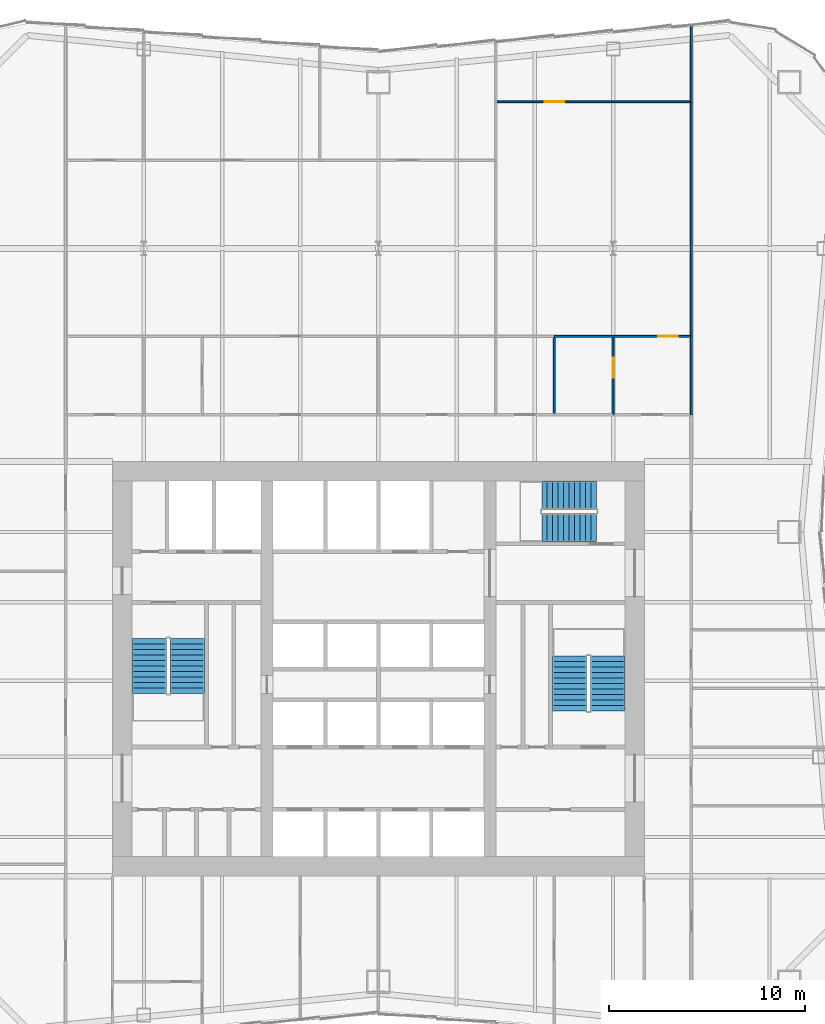
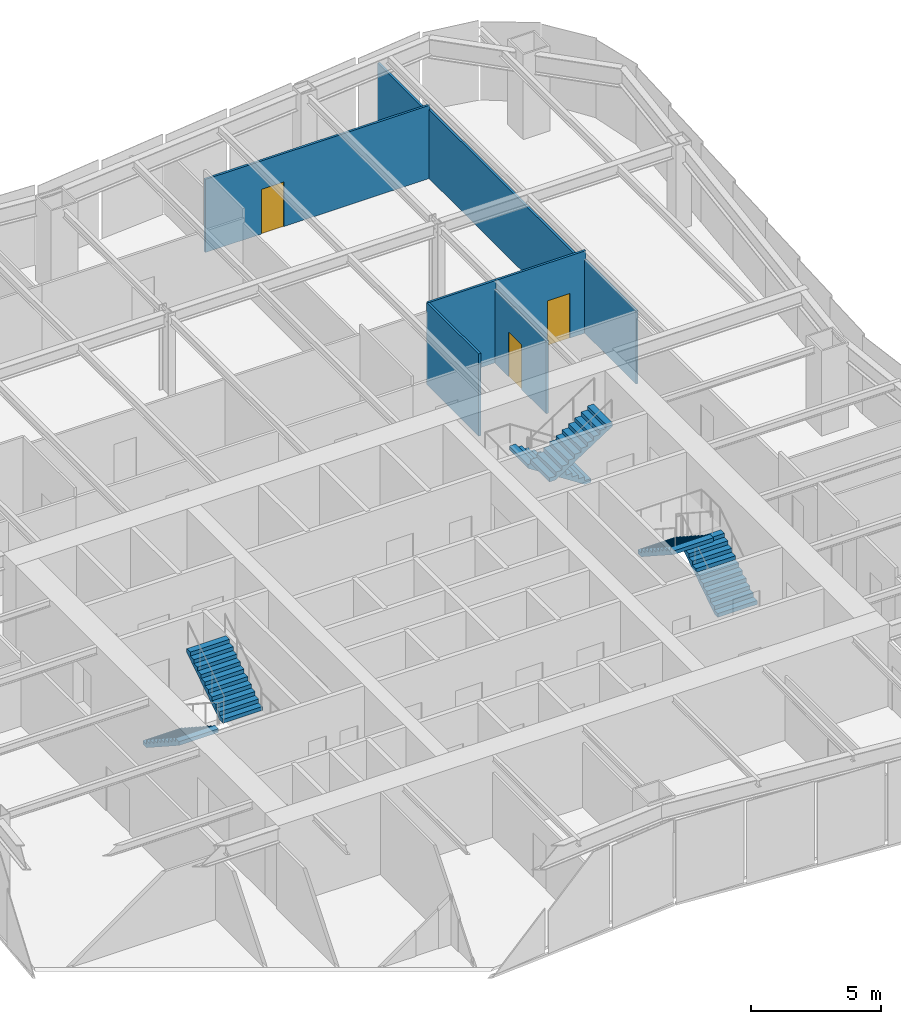
# One storey, part 7 of 8: 8 walls, 6 stair flights, 3 doors, 3 openings, 3 elements without a shape of their own.
"""IFC4 building model written with IfcOpenShell, lengths in metres."""

from ifc_helpers import new_model, si_unit, direction, frame, frame_2d, origin, place, context, subcontext, project, spatial, polyline, rectangle, outline, extrude, material, layer, layer_set, type_object, element, fill, aggregate, save


model = new_model("IFC4")

# Units and contexts
model_context = context("Model", 3, precision=1e-05, world=origin(), true_north=direction((0.0, 1.0)))
body_context = subcontext(model_context, "Body", "Model", "MODEL_VIEW")
ifc_project = project(units=[si_unit("LENGTHUNIT", "METRE"), si_unit("AREAUNIT", "SQUARE_METRE"), si_unit("VOLUMEUNIT", "CUBIC_METRE"), si_unit("PLANEANGLEUNIT", "RADIAN"), si_unit("MASSUNIT", "GRAM", prefix="KILO")], contexts=[model_context])

# Site, building, storey
site_placement = place(None, origin())
site = spatial("IfcSite", under=ifc_project, at=site_placement, CompositionType="ELEMENT")
building_placement = place(site_placement, origin())
building = spatial("IfcBuilding", under=site, at=building_placement, Name="Verdant Reach Tower", CompositionType="ELEMENT")
storey_placement = place(building_placement, frame((0.0, 0.0, 146.0)))
storey = spatial("IfcBuildingStorey", under=building, at=storey_placement, Name="L33", CompositionType="ELEMENT", Elevation=146.0)

# Walls
ifc_material_1 = material(Name="Gypsum board on steel studs", Category="steel")
ifc_layer = layer(ifc_material_1, 0.10009765625)
ifc_layer_set = layer_set([ifc_layer], Name="FL-W1 Partition 100")
wall_type = type_object("IfcWallType", Name="FL-W1 Partition 100", PredefinedType="PARTITIONING", material=ifc_layer_set)
wall_1_placement = place(storey_placement, frame((16.0, 45.0, 0.0), z_axis=(0.0, 0.0, 1.0), x_axis=(0.0, -1.0, 0.0)))
element("IfcWall", 1, at=wall_1_placement, inside=storey, type_object=wall_type, Name="Partition 33.28", PredefinedType="PARTITIONING", context=body_context, shape_type="SweptSolid", body=[
    extrude(rectangle(XDim=4.0, YDim=0.10009765625, at=frame_2d((2.0, 0.0))), origin(), (0.0, 0.0, 1.0), 3.43994140625),
])
wall_2_placement = place(storey_placement, frame((16.0, 57.0, 0.0), z_axis=(0.0, 0.0, 1.0), x_axis=(0.0, -1.0, 0.0)))
element("IfcWall", 2, at=wall_2_placement, inside=storey, type_object=wall_type, Name="Partition 33.29", PredefinedType="PARTITIONING", context=body_context, shape_type="SweptSolid", body=[
    extrude(rectangle(XDim=12.0, YDim=0.10009765625, at=frame_2d((6.0, 0.0))), origin(), (0.0, 0.0, 1.0), 3.239990234375),
])
wall_3_placement = place(storey_placement, frame((16.0, 60.913330078125, 0.0), z_axis=(0.0, 0.0, 1.0), x_axis=(0.0, -1.0, 0.0)))
element("IfcWall", 3, at=wall_3_placement, inside=storey, type_object=wall_type, Name="Partition 33.30", PredefinedType="PARTITIONING", context=body_context, shape_type="SweptSolid", body=[
    extrude(rectangle(XDim=3.913330078125, YDim=0.10009765625, at=frame_2d((1.95654296875, 0.0))), origin(), (0.0, 0.0, 1.0), 3.0400390625),
])
wall_4_placement = place(storey_placement, frame((9.0, 41.0, 0.0), z_axis=(0.0, 0.0, 1.0), x_axis=(0.0, 1.0, 0.0)))
element("IfcWall", 4, at=wall_4_placement, inside=storey, type_object=wall_type, Name="Partition 33.53", PredefinedType="PARTITIONING", context=body_context, shape_type="SweptSolid", body=[
    extrude(rectangle(XDim=4.0, YDim=0.10009765625, at=frame_2d((2.0, 0.0))), origin(), (0.0, 0.0, 1.0), 3.8701171875),
])

# Wall, opening, door
wall_5_placement = place(storey_placement, frame((12.0, 41.0, 0.0), z_axis=(0.0, 0.0, 1.0), x_axis=(0.0, 1.0, 0.0)))
wall_5 = element("IfcWall", 5, at=wall_5_placement, inside=storey, type_object=wall_type, Name="Partition 33.55", PredefinedType="PARTITIONING", context=body_context, shape_type="SweptSolid", body=[
    extrude(rectangle(XDim=4.0, YDim=0.10009765625, at=frame_2d((2.0, 0.0))), origin(), (0.0, 0.0, 1.0), 3.43994140625),
])
opening_1_placement = place(wall_5_placement, frame((1.89990234375, 0.0, 0.0)))
opening_1 = element("IfcOpeningElement", 6, at=opening_1_placement, cuts=wall_5, Name="Opening D3", PredefinedType="OPENING", context=body_context, shape_type="SweptSolid", body=[
    extrude(rectangle(XDim=1.0, YDim=2.10009765625, at=frame_2d((0.5, 1.050048828125))), frame((0.0, 0.06005859375, 0.0), z_axis=(0.0, -1.0, 0.0), x_axis=(1.0, 0.0, 0.0)), (0.0, 0.0, 1.0), 0.1201171875),
])
ifc_material_2 = material(Name="Painted timber door leaf", Category="wood")
door_type = type_object("IfcDoorType", Name="FL-D3 Door 1000x2100", OperationType="NOTDEFINED", PredefinedType="DOOR", material=ifc_material_2)
door_1_placement = place(opening_1_placement, origin())
door_1 = element("IfcDoor", 7, at=door_1_placement, inside=storey, type_object=door_type, Name="Door 33-025", OperationType="SINGLE_SWING_RIGHT", OverallHeight=2.10009765625, OverallWidth=1.0, PredefinedType="DOOR", context=body_context, shape_type="SweptSolid", body=[
    extrude(rectangle(XDim=1.0, YDim=2.10009765625, at=frame_2d((0.5, 1.050048828125))), frame((0.0, 0.02490234375, 0.0), z_axis=(0.0, -1.0, 0.0), x_axis=(1.0, 0.0, 0.0)), (0.0, 0.0, 1.0), 0.050048828125),
])
fill(opening_1, door_1)

# Wall
wall_6_placement = place(storey_placement, frame((12.00390625, 45.0, 0.0), z_axis=(0.0, 0.0, 1.0), x_axis=(-1.0, 0.0, 0.0)))
element("IfcWall", 8, at=wall_6_placement, inside=storey, type_object=wall_type, Name="Partition 33.56", PredefinedType="PARTITIONING", context=body_context, shape_type="SweptSolid", body=[
    extrude(rectangle(XDim=3.0078125, YDim=0.10009765625, at=frame_2d((1.50390625, 0.0))), origin(), (0.0, 0.0, 1.0), 3.8701171875),
])

# Wall, opening, door
wall_7_placement = place(storey_placement, frame((11.99609375, 45.0, 0.0), z_axis=(0.0, 0.0, 1.0), x_axis=(1.0, 0.0, 0.0)))
wall_7 = element("IfcWall", 9, at=wall_7_placement, inside=storey, type_object=wall_type, Name="Partition 33.57", PredefinedType="PARTITIONING", context=body_context, shape_type="SweptSolid", body=[
    extrude(rectangle(XDim=4.00390625, YDim=0.10009765625, at=frame_2d((2.001953125, 0.0))), origin(), (0.0, 0.0, 1.0), 3.8701171875),
])
opening_2_placement = place(wall_7_placement, frame((2.302001953125, 0.0, 0.0)))
opening_2 = element("IfcOpeningElement", 10, at=opening_2_placement, cuts=wall_7, Name="Opening D3", PredefinedType="OPENING", context=body_context, shape_type="SweptSolid", body=[
    extrude(rectangle(XDim=1.0, YDim=2.10009765625, at=frame_2d((0.5, 1.050048828125))), frame((0.0, 0.06005859375, 0.0), z_axis=(0.0, -1.0, 0.0), x_axis=(1.0, 0.0, 0.0)), (0.0, 0.0, 1.0), 0.1201171875),
])
door_2_placement = place(opening_2_placement, origin())
door_2 = element("IfcDoor", 11, at=door_2_placement, inside=storey, type_object=door_type, Name="Door 33-026", OperationType="SINGLE_SWING_RIGHT", OverallHeight=2.10009765625, OverallWidth=1.0, PredefinedType="DOOR", context=body_context, shape_type="SweptSolid", body=[
    extrude(rectangle(XDim=1.0, YDim=2.10009765625, at=frame_2d((0.5, 1.050048828125))), frame((0.0, 0.02490234375, 0.0), z_axis=(0.0, -1.0, 0.0), x_axis=(1.0, 0.0, 0.0)), (0.0, 0.0, 1.0), 0.050048828125),
])
fill(opening_2, door_2)

wall_8_placement = place(storey_placement, frame((6.0, 57.0, 0.0), z_axis=(0.0, 0.0, 1.0), x_axis=(1.0, 0.0, 0.0)))
wall_8 = element("IfcWall", 12, at=wall_8_placement, inside=storey, type_object=wall_type, Name="Partition 33.58", PredefinedType="PARTITIONING", context=body_context, shape_type="SweptSolid", body=[
    extrude(rectangle(XDim=10.0, YDim=0.10009765625, at=frame_2d((5.0, 0.0))), origin(), (0.0, 0.0, 1.0), 3.43994140625),
])
opening_3_placement = place(wall_8_placement, frame((2.5, 0.0, 0.0)))
opening_3 = element("IfcOpeningElement", 13, at=opening_3_placement, cuts=wall_8, Name="Opening D3", PredefinedType="OPENING", context=body_context, shape_type="SweptSolid", body=[
    extrude(rectangle(XDim=1.0, YDim=2.10009765625, at=frame_2d((0.5, 1.050048828125))), frame((0.0, 0.06005859375, 0.0), z_axis=(0.0, -1.0, 0.0), x_axis=(1.0, 0.0, 0.0)), (0.0, 0.0, 1.0), 0.1201171875),
])
door_3_placement = place(opening_3_placement, origin())
door_3 = element("IfcDoor", 14, at=door_3_placement, inside=storey, type_object=door_type, Name="Door 33-027", OperationType="SINGLE_SWING_LEFT", OverallHeight=2.10009765625, OverallWidth=1.0, PredefinedType="DOOR", context=body_context, shape_type="SweptSolid", body=[
    extrude(rectangle(XDim=1.0, YDim=2.10009765625, at=frame_2d((0.5, 1.050048828125))), frame((0.0, 0.02490234375, 0.0), z_axis=(0.0, -1.0, 0.0), x_axis=(1.0, 0.0, 0.0)), (0.0, 0.0, 1.0), 0.050048828125),
])
fill(opening_3, door_3)

# Stair, stair flights
ifc_material_3 = material(Name="Concrete C40/50", Category="concrete")
stair_type = type_object("IfcStairType", Name="CO-STAIR", PredefinedType="HALF_TURN_STAIR", material=ifc_material_3)
stair_1_placement = place(storey_placement, origin())
stair_1 = element("IfcStair", 15, at=stair_1_placement, inside=storey, type_object=stair_type, Name="L33 Exit stair 1", PredefinedType="HALF_TURN_STAIR")
stair_flight_type = type_object("IfcStairFlightType", Name="CO-STAIR-FLIGHT", PredefinedType="STRAIGHT", material=ifc_material_3)
stair_flight_1_placement = place(storey_placement, frame((-11.72509765625, 29.550048828125, 0.0), z_axis=(0.0, 0.0, 1.0), x_axis=(0.0, -1.0, 0.0)))
stair_flight_1 = element("IfcStairFlight", 16, at=stair_flight_1_placement, type_object=stair_flight_type, Name="ST-1 flight 1", NumberOfRisers=11, NumberOfTreads=10, PredefinedType="STRAIGHT", RiserHeight=0.181818182, TreadLength=0.28, context=body_context, shape_type="SweptSolid", body=[
    extrude(outline(polyline([(0.0, 0.0), (0.0, 0.181884765625), (0.280029296875, 0.181884765625), (0.280029296875, 0.363525390625), (0.56005859375, 0.363525390625), (0.56005859375, 0.54541015625), (0.840087890625, 0.54541015625), (0.840087890625, 0.727294921875), (1.1201171875, 0.727294921875), (1.1201171875, 0.9091796875), (1.39990234375, 0.9091796875), (1.39990234375, 1.0908203125), (1.679931640625, 1.0908203125), (1.679931640625, 1.272705078125), (1.9599609375, 1.272705078125), (1.9599609375, 1.45458984375), (2.239990234375, 1.45458984375), (2.239990234375, 1.636474609375), (2.52001953125, 1.636474609375), (2.52001953125, 1.818115234375), (2.800048828125, 1.818115234375), (2.800048828125, 2.0), (2.800048828125, 1.639404296875), (0.275146484375, 0.0), (0.0, 0.0)])), frame((0.0, 0.875, 0.0), z_axis=(0.0, -1.0, 0.0), x_axis=(1.0, 0.0, 0.0)), (0.0, 0.0, 1.0), 1.75),
])
stair_flight_2_placement = place(storey_placement, frame((-9.77490234375, 26.75, 2.0), z_axis=(0.0, 0.0, 1.0), x_axis=(0.0, 1.0, 0.0)))
stair_flight_2 = element("IfcStairFlight", 17, at=stair_flight_2_placement, type_object=stair_flight_type, Name="ST-1 flight 2", NumberOfRisers=11, NumberOfTreads=10, PredefinedType="STRAIGHT", RiserHeight=0.181818182, TreadLength=0.28, context=body_context, shape_type="SweptSolid", body=[
    extrude(outline(polyline([(0.0, 0.0), (0.0, 0.181884765625), (0.280029296875, 0.181884765625), (0.280029296875, 0.363525390625), (0.56005859375, 0.363525390625), (0.56005859375, 0.54541015625), (0.840087890625, 0.54541015625), (0.840087890625, 0.727294921875), (1.1201171875, 0.727294921875), (1.1201171875, 0.9091796875), (1.39990234375, 0.9091796875), (1.39990234375, 1.0908203125), (1.679931640625, 1.0908203125), (1.679931640625, 1.272705078125), (1.9599609375, 1.272705078125), (1.9599609375, 1.45458984375), (2.239990234375, 1.45458984375), (2.239990234375, 1.636474609375), (2.52001953125, 1.636474609375), (2.52001953125, 1.818115234375), (2.800048828125, 1.818115234375), (2.800048828125, 2.0), (2.800048828125, 1.639404296875), (0.275146484375, 0.0), (0.0, 0.0)])), frame((0.0, 0.875, 0.0), z_axis=(0.0, -1.0, 0.0), x_axis=(1.0, 0.0, 0.0)), (0.0, 0.0, 1.0), 1.75),
])
aggregate(stair_1, [stair_flight_1, stair_flight_2])

stair_2_placement = place(storey_placement, origin())
stair_2 = element("IfcStair", 18, at=stair_2_placement, inside=storey, type_object=stair_type, Name="L33 Exit stair 2", PredefinedType="HALF_TURN_STAIR")
stair_flight_3_placement = place(storey_placement, frame((11.72509765625, 25.85009765625, 0.0), z_axis=(0.0, 0.0, 1.0), x_axis=(0.0, 1.0, 0.0)))
stair_flight_3 = element("IfcStairFlight", 19, at=stair_flight_3_placement, type_object=stair_flight_type, Name="ST-2 flight 1", NumberOfRisers=11, NumberOfTreads=10, PredefinedType="STRAIGHT", RiserHeight=0.181818182, TreadLength=0.28, context=body_context, shape_type="SweptSolid", body=[
    extrude(outline(polyline([(0.0, 0.0), (0.0, 0.181884765625), (0.280029296875, 0.181884765625), (0.280029296875, 0.363525390625), (0.56005859375, 0.363525390625), (0.56005859375, 0.54541015625), (0.840087890625, 0.54541015625), (0.840087890625, 0.727294921875), (1.1201171875, 0.727294921875), (1.1201171875, 0.9091796875), (1.39990234375, 0.9091796875), (1.39990234375, 1.0908203125), (1.679931640625, 1.0908203125), (1.679931640625, 1.272705078125), (1.9599609375, 1.272705078125), (1.9599609375, 1.45458984375), (2.239990234375, 1.45458984375), (2.239990234375, 1.636474609375), (2.52001953125, 1.636474609375), (2.52001953125, 1.818115234375), (2.800048828125, 1.818115234375), (2.800048828125, 2.0), (2.800048828125, 1.639404296875), (0.275146484375, 0.0), (0.0, 0.0)])), frame((0.0, 0.875, 0.0), z_axis=(0.0, -1.0, 0.0), x_axis=(1.0, 0.0, 0.0)), (0.0, 0.0, 1.0), 1.75),
])
stair_flight_4_placement = place(storey_placement, frame((9.77490234375, 28.64990234375, 2.0), z_axis=(0.0, 0.0, 1.0), x_axis=(0.0, -1.0, 0.0)))
stair_flight_4 = element("IfcStairFlight", 20, at=stair_flight_4_placement, type_object=stair_flight_type, Name="ST-2 flight 2", NumberOfRisers=11, NumberOfTreads=10, PredefinedType="STRAIGHT", RiserHeight=0.181818182, TreadLength=0.28, context=body_context, shape_type="SweptSolid", body=[
    extrude(outline(polyline([(0.0, 0.0), (0.0, 0.181884765625), (0.280029296875, 0.181884765625), (0.280029296875, 0.363525390625), (0.56005859375, 0.363525390625), (0.56005859375, 0.54541015625), (0.840087890625, 0.54541015625), (0.840087890625, 0.727294921875), (1.1201171875, 0.727294921875), (1.1201171875, 0.9091796875), (1.39990234375, 0.9091796875), (1.39990234375, 1.0908203125), (1.679931640625, 1.0908203125), (1.679931640625, 1.272705078125), (1.9599609375, 1.272705078125), (1.9599609375, 1.45458984375), (2.239990234375, 1.45458984375), (2.239990234375, 1.636474609375), (2.52001953125, 1.636474609375), (2.52001953125, 1.818115234375), (2.800048828125, 1.818115234375), (2.800048828125, 2.0), (2.800048828125, 1.639404296875), (0.275146484375, 0.0), (0.0, 0.0)])), frame((0.0, 0.875, 0.0), z_axis=(0.0, -1.0, 0.0), x_axis=(1.0, 0.0, 0.0)), (0.0, 0.0, 1.0), 1.75),
])
aggregate(stair_2, [stair_flight_3, stair_flight_4])

stair_3_placement = place(storey_placement, origin())
stair_3 = element("IfcStair", 21, at=stair_3_placement, inside=storey, type_object=stair_type, Name="L33 Exit stair 3", PredefinedType="HALF_TURN_STAIR")
stair_flight_5_placement = place(storey_placement, frame((11.14990234375, 36.875, 0.0), z_axis=(0.0, 0.0, 1.0), x_axis=(-1.0, 0.0, 0.0)))
stair_flight_5 = element("IfcStairFlight", 22, at=stair_flight_5_placement, type_object=stair_flight_type, Name="ST-3 flight 1", NumberOfRisers=11, NumberOfTreads=10, PredefinedType="STRAIGHT", RiserHeight=0.181818182, TreadLength=0.28, context=body_context, shape_type="SweptSolid", body=[
    extrude(outline(polyline([(0.0, 0.0), (0.0, 0.181884765625), (0.280029296875, 0.181884765625), (0.280029296875, 0.363525390625), (0.56005859375, 0.363525390625), (0.56005859375, 0.54541015625), (0.840087890625, 0.54541015625), (0.840087890625, 0.727294921875), (1.1201171875, 0.727294921875), (1.1201171875, 0.9091796875), (1.39990234375, 0.9091796875), (1.39990234375, 1.0908203125), (1.679931640625, 1.0908203125), (1.679931640625, 1.272705078125), (1.9599609375, 1.272705078125), (1.9599609375, 1.45458984375), (2.239990234375, 1.45458984375), (2.239990234375, 1.636474609375), (2.52001953125, 1.636474609375), (2.52001953125, 1.818115234375), (2.800048828125, 1.818115234375), (2.800048828125, 2.0), (2.800048828125, 1.639404296875), (0.275146484375, 0.0), (0.0, 0.0)])), frame((0.0, 0.72509765625, 0.0), z_axis=(0.0, -1.0, 0.0), x_axis=(1.0, 0.0, 0.0)), (0.0, 0.0, 1.0), 1.449951171875),
])
stair_flight_6_placement = place(storey_placement, frame((8.35009765625, 35.22509765625, 2.0), z_axis=(0.0, 0.0, 1.0), x_axis=(1.0, 0.0, 0.0)))
stair_flight_6 = element("IfcStairFlight", 23, at=stair_flight_6_placement, type_object=stair_flight_type, Name="ST-3 flight 2", NumberOfRisers=11, NumberOfTreads=10, PredefinedType="STRAIGHT", RiserHeight=0.181818182, TreadLength=0.28, context=body_context, shape_type="SweptSolid", body=[
    extrude(outline(polyline([(0.0, 0.0), (0.0, 0.181884765625), (0.280029296875, 0.181884765625), (0.280029296875, 0.363525390625), (0.56005859375, 0.363525390625), (0.56005859375, 0.54541015625), (0.840087890625, 0.54541015625), (0.840087890625, 0.727294921875), (1.1201171875, 0.727294921875), (1.1201171875, 0.9091796875), (1.39990234375, 0.9091796875), (1.39990234375, 1.0908203125), (1.679931640625, 1.0908203125), (1.679931640625, 1.272705078125), (1.9599609375, 1.272705078125), (1.9599609375, 1.45458984375), (2.239990234375, 1.45458984375), (2.239990234375, 1.636474609375), (2.52001953125, 1.636474609375), (2.52001953125, 1.818115234375), (2.800048828125, 1.818115234375), (2.800048828125, 2.0), (2.800048828125, 1.639404296875), (0.275146484375, 0.0), (0.0, 0.0)])), frame((0.0, 0.72509765625, 0.0), z_axis=(0.0, -1.0, 0.0), x_axis=(1.0, 0.0, 0.0)), (0.0, 0.0, 1.0), 1.449951171875),
])
aggregate(stair_3, [stair_flight_5, stair_flight_6])

save(model, "model.ifc")
